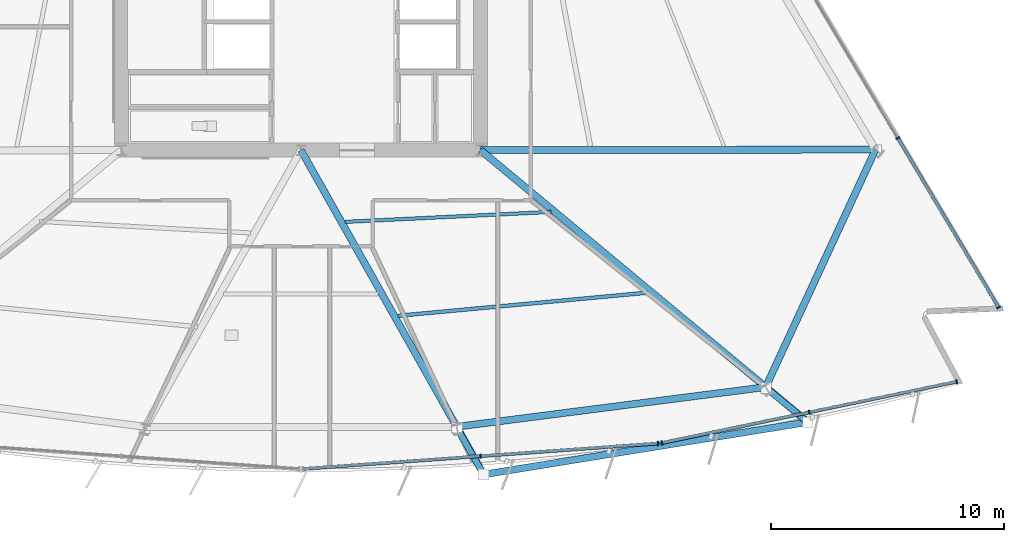
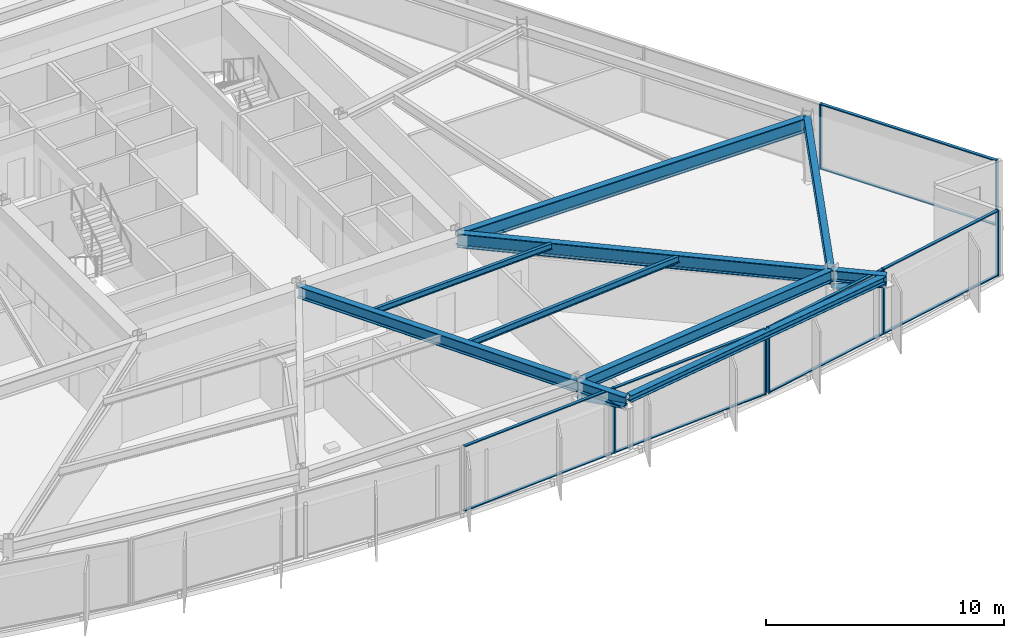
# One storey, part 5 of 18: 19 members, 10 beams, 3 elements without a shape of their own.
"""IFC4 building model written with IfcOpenShell, lengths in metres."""

import ifcopenshell
import ifcopenshell.guid

model = None  # the IFC model being written
_history = None  # IfcOwnerHistory: only IFC2X3 demands one
_inside = {}  # id of a spatial element -> (the spatial element, [elements in it])
_under = {}  # id of a project, library or spatial element -> (it, [spatial elements below it])
_declared = {}  # id of a project -> (the project, [libraries it declares])
_typed = {}  # id of a type object -> (the type object, [elements of that type])
_made_of = {}  # id of a material, layer set ... -> (it, [elements and type objects made of it])


def new_model(schema):
    """Start an empty IFC model of exactly this schema.

    Asked for "IFC4X3", IfcOpenShell would pick the latest addendum, in which some entities
    have other attributes; the version numbers below select the first issue.
    IFC2X3 requires an IfcOwnerHistory on every rooted entity: one is made here for all.
    """
    global model, _history
    if schema == "IFC4X3":
        model = ifcopenshell.file(schema_version=(4, 3, 0, 0))
    else:
        model = ifcopenshell.file(schema=schema)
    _inside.clear()
    _under.clear()
    _declared.clear()
    _typed.clear()
    _made_of.clear()
    _history = None
    if model.schema == "IFC2X3":
        org = make("IfcOrganization", Name="unknown")
        user = make(
            "IfcPersonAndOrganization",
            ThePerson=make("IfcPerson", FamilyName="unknown"),
            TheOrganization=org,
        )
        app = make(
            "IfcApplication",
            ApplicationDeveloper=org,
            Version="unknown",
            ApplicationFullName="unknown",
            ApplicationIdentifier="unknown",
        )
        _history = make(
            "IfcOwnerHistory",
            OwningUser=user,
            OwningApplication=app,
            ChangeAction="ADDED",
            CreationDate=0,
        )
    return model


def make(cls, **values):
    """One entity of the class cls with the attributes given. An attribute that is None is left unset."""
    return model.create_entity(
        cls, **{name: value for name, value in values.items() if value is not None}
    )


def rooted(cls, **values):
    """An entity with a GlobalId (a new one), such as an element, a storey or a relation."""
    return make(cls, GlobalId=ifcopenshell.guid.new(), OwnerHistory=_history, **values)


def si_unit(unit_type, name, prefix=None):
    """IfcSIUnit, for example si_unit("LENGTHUNIT", "METRE", prefix="MILLI")."""
    return make("IfcSIUnit", UnitType=unit_type, Prefix=prefix, Name=name)


def assignment(units):
    """IfcUnitAssignment: the units of a project."""
    return None if units is None else make("IfcUnitAssignment", Units=units)


def point(xyz):
    """IfcCartesianPoint."""
    return None if xyz is None else make("IfcCartesianPoint", Coordinates=xyz)


def direction(xyz):
    """IfcDirection."""
    return None if xyz is None else make("IfcDirection", DirectionRatios=xyz)


def frame(location, z_axis=None, x_axis=None):
    """IfcAxis2Placement3D, a coordinate frame: its origin and axes. An axis left out is left unset."""
    return make(
        "IfcAxis2Placement3D",
        Location=point(location),
        Axis=direction(z_axis),
        RefDirection=direction(x_axis),
    )


def frame_2d(location, x_axis=None):
    """IfcAxis2Placement2D, a coordinate frame in the plane: its origin and x axis."""
    return make(
        "IfcAxis2Placement2D", Location=point(location), RefDirection=direction(x_axis)
    )


def origin():
    """The frame at (0, 0, 0) with its axes left unset."""
    return frame((0.0, 0.0, 0.0))


def origin_2d():
    """The frame at (0, 0) in the plane with its x axis left unset."""
    return frame_2d((0.0, 0.0))


def place(relative_to, where):
    """IfcLocalPlacement: puts the frame where relative to a parent placement (None: the world)."""
    return make(
        "IfcLocalPlacement", PlacementRelTo=relative_to, RelativePlacement=where
    )


def context(
    kind, dimensions, precision=None, world=None, true_north=None, identifier=None
):
    """IfcGeometricRepresentationContext, for example the 3D "Model" context."""
    return make(
        "IfcGeometricRepresentationContext",
        ContextIdentifier=identifier,
        ContextType=kind,
        CoordinateSpaceDimension=dimensions,
        Precision=precision,
        WorldCoordinateSystem=world,
        TrueNorth=true_north,
    )


def subcontext(parent, identifier, kind, view, scale=None):
    """IfcGeometricRepresentationSubContext, for example "Body" below "Model"."""
    return make(
        "IfcGeometricRepresentationSubContext",
        ContextIdentifier=identifier,
        ContextType=kind,
        ParentContext=parent,
        TargetScale=scale,
        TargetView=view,
    )


def project(units=None, contexts=None):
    """IfcProject with its units and contexts."""
    return rooted(
        "IfcProject",
        Name="project",
        RepresentationContexts=contexts,
        UnitsInContext=assignment(units),
    )


def spatial(cls, under=None, at=None, **own):
    """A site, building, storey or space (cls), placed at a placement, below another one or the project."""
    s = rooted(cls, ObjectPlacement=at, **own)
    if under is not None:
        _under.setdefault(under.id(), (under, []))[1].append(s)
    return s


def profile(cls, at=None, kind="AREA", **sizes):
    """A parametric profile (cls). Its sizes go by their IFC names, for example OverallWidth=200.0."""
    return make(cls, ProfileType=kind, Position=at, **sizes)


def rectangle(**sizes):
    """IfcRectangleProfileDef."""
    return profile("IfcRectangleProfileDef", **sizes)


def hollow_circle(**sizes):
    """IfcCircleHollowProfileDef."""
    return profile("IfcCircleHollowProfileDef", **sizes)


def i_section(**sizes):
    """IfcIShapeProfileDef."""
    return profile("IfcIShapeProfileDef", **sizes)


def extrude(swept, where, along, depth):
    """IfcExtrudedAreaSolid: the profile swept, set in the frame where, extruded along a direction by depth."""
    return make(
        "IfcExtrudedAreaSolid",
        SweptArea=swept,
        Position=where,
        ExtrudedDirection=direction(along),
        Depth=depth,
    )


def shape(context_of_items, identifier, shape_type, items):
    """IfcShapeRepresentation: the items that make up one representation, for example the "Body"."""
    return make(
        "IfcShapeRepresentation",
        ContextOfItems=context_of_items,
        RepresentationIdentifier=identifier,
        RepresentationType=shape_type,
        Items=items,
    )


def material(Name=None, Category=None):
    """IfcMaterial."""
    return make("IfcMaterial", Name=Name, Category=Category)


def material_profile(
    of_material, cross_section, Name=None, Category=None, Priority=None
):
    """IfcMaterialProfile: a cross section and its material."""
    return make(
        "IfcMaterialProfile",
        Name=Name,
        Material=of_material,
        Profile=cross_section,
        Priority=Priority,
        Category=Category,
    )


def profile_set(profiles, Name=None, composite=None):
    """IfcMaterialProfileSet."""
    return make(
        "IfcMaterialProfileSet",
        Name=Name,
        MaterialProfiles=profiles,
        CompositeProfile=composite,
    )


def made_of(thing, what):
    """Note that an element or type object is made of a material, layer set ...; save() writes the relation."""
    if what is not None:
        _made_of.setdefault(what.id(), (what, []))[1].append(thing)
    return thing


def type_object(cls, material=None, **own):
    """A type object (cls), such as IfcWallType, which elements share."""
    return made_of(rooted(cls, **own), material)


def element(
    cls,
    number,
    at=None,
    inside=None,
    cuts=None,
    type_object=None,
    material=None,
    context=None,
    identifier="Body",
    shape_type=None,
    held_by="IfcProductDefinitionShape",
    body=None,
    shapes=None,
    **own,
):
    """One element of the class cls, such as IfcWall. Its Tag is "e" and its number.

    at: its placement. inside: the storey or other place that contains it. cuts: it is an
    opening in that element (IfcRelVoidsElement). A single representation is given by context,
    identifier, shape_type and body (its items); several are given by shapes. held_by: the class
    of the entity that holds the representations. save() writes the other relations.
    """
    e = rooted(cls, Tag="e%d" % number, ObjectPlacement=at, **own)
    if body is not None:
        shapes = [shape(context, identifier, shape_type, body)]
    if shapes is not None:
        e.Representation = make(held_by, Representations=shapes)
    if inside is not None:
        _inside.setdefault(inside.id(), (inside, []))[1].append(e)
    if cuts is not None:
        rooted(
            "IfcRelVoidsElement", RelatingBuildingElement=cuts, RelatedOpeningElement=e
        )
    if type_object is not None:
        _typed.setdefault(type_object.id(), (type_object, []))[1].append(e)
    return made_of(e, material)


def aggregate(whole, parts):
    """IfcRelAggregates: a whole, such as a stair, and the parts it consists of."""
    return rooted("IfcRelAggregates", RelatingObject=whole, RelatedObjects=parts)


def save(model, path):
    """Write the relations noted so far, then the file.

    IfcRelAggregates (storeys below a building ...), IfcRelContainedInSpatialStructure (elements
    in a storey), IfcRelDefinesByType, IfcRelAssociatesMaterial and IfcRelDeclares: one each for
    every whole, place, type object, material and project.
    """
    for whole, parts in _under.values():
        aggregate(whole, parts)
    for where, things in _inside.values():
        rooted(
            "IfcRelContainedInSpatialStructure",
            RelatedElements=things,
            RelatingStructure=where,
        )
    for kind, things in _typed.values():
        rooted("IfcRelDefinesByType", RelatedObjects=things, RelatingType=kind)
    for what, things in _made_of.values():
        rooted("IfcRelAssociatesMaterial", RelatedObjects=things, RelatingMaterial=what)
    for by, libraries in _declared.values():
        rooted("IfcRelDeclares", RelatingContext=by, RelatedDefinitions=libraries)
    model.write(path)


model = new_model("IFC4")

# Units and contexts
model_context = context("Model", 3, precision=1e-05, world=origin(), true_north=direction((0.0, 1.0)))
body_context = subcontext(model_context, "Body", "Model", "MODEL_VIEW")
ifc_project = project(units=[si_unit("LENGTHUNIT", "METRE"), si_unit("AREAUNIT", "SQUARE_METRE"), si_unit("VOLUMEUNIT", "CUBIC_METRE"), si_unit("PLANEANGLEUNIT", "RADIAN"), si_unit("MASSUNIT", "GRAM", prefix="KILO")], contexts=[model_context])

# Site, building, storey
site_placement = place(None, origin())
site = spatial("IfcSite", under=ifc_project, at=site_placement, CompositionType="ELEMENT")
building_placement = place(site_placement, origin())
building = spatial("IfcBuilding", under=site, at=building_placement, Name="Savorim Split Tower", CompositionType="ELEMENT")
storey_placement = place(building_placement, frame((0.0, 0.0, 44.39990234375)))
storey = spatial("IfcBuildingStorey", under=building, at=storey_placement, Name="L11", CompositionType="ELEMENT", Elevation=44.39990234375)

# Beams
ifc_material_1 = material(Name="Steel S355", Category="steel")
ifc_material_profile_1 = material_profile(ifc_material_1, i_section(OverallWidth=0.14990234375, OverallDepth=0.300048828125, WebThickness=0.007080078125, FlangeThickness=0.0107421875, FilletRadius=0.014892578125, at=origin_2d()), Name="IPE 300")
ifc_profile_set_1 = profile_set([ifc_material_profile_1], Name="Steel S355")
beam_type_1 = type_object("IfcBeamType", Name="BM-JST-IPE300", PredefinedType="JOIST", material=ifc_profile_set_1)
beam_1_placement = place(storey_placement, frame((1.897216796875, -12.47802734375, 3.2001953125), z_axis=(0.998831396082, 0.048330551423, 0.0), x_axis=(-0.048330551423, 0.998831396082, 0.0)))
element("IfcBeam", 1, at=beam_1_placement, inside=storey, type_object=beam_type_1, Name="L11 Secondary Floor Joist JS-05", PredefinedType="JOIST", context=body_context, shape_type="SweptSolid", body=[
    extrude(i_section(OverallWidth=0.14990234375, OverallDepth=0.300048828125, WebThickness=0.007080078125, FlangeThickness=0.0107421875, FilletRadius=0.014892578125, at=origin_2d()), origin(), (0.0, 0.0, 1.0), 8.8349609375),
])
ifc_material_profile_2 = material_profile(ifc_material_1, i_section(OverallWidth=0.159912109375, OverallDepth=0.330078125, WebThickness=0.007568359375, FlangeThickness=0.011474609375, FilletRadius=0.01806640625, at=origin_2d()), Name="IPE 330")
ifc_profile_set_2 = profile_set([ifc_material_profile_2], Name="Steel S355")
beam_type_2 = type_object("IfcBeamType", Name="BM-JST-IPE330", PredefinedType="JOIST", material=ifc_profile_set_2)
beam_2_placement = place(storey_placement, frame((4.168701171875, -16.50634765625, 3.18505859375), z_axis=(0.995744029273, 0.092161967027, 0.0), x_axis=(-0.092161967027, 0.995744029273, 0.0)))
element("IfcBeam", 2, at=beam_2_placement, inside=storey, type_object=beam_type_2, Name="L11 Secondary Floor Joist JS-04", PredefinedType="JOIST", context=body_context, shape_type="SweptSolid", body=[
    extrude(i_section(OverallWidth=0.159912109375, OverallDepth=0.330078125, WebThickness=0.007568359375, FlangeThickness=0.011474609375, FilletRadius=0.01806640625, at=origin_2d()), origin(), (0.0, 0.0, 1.0), 10.760498046875),
])
ifc_material_profile_3 = material_profile(ifc_material_1, i_section(OverallWidth=0.300048828125, OverallDepth=0.550048828125, WebThickness=0.014892578125, FlangeThickness=0.029052734375, FilletRadius=0.027099609375, at=origin_2d()), Name="HEB 550")
ifc_profile_set_3 = profile_set([ifc_material_profile_3], Name="Steel S355")
beam_type_3 = type_object("IfcBeamType", Name="BM-PRI-HEB550", PredefinedType="BEAM", material=ifc_profile_set_3)
for number, where, z_axis, x_axis, name in (
    (3, (6.68212890625, -21.268310546875, 3.0751953125), (0.490636033637, -0.87136460939, 0.0), (0.87136460939, 0.490636033637, 0.0), "L11 Cantilevered Lounge Rib 1"),
    (4, (19.937744140625, -19.56640625, 3.0751953125), (0.769191158653, -0.639018748903, 0.0), (0.639018748903, 0.769191158653, 0.0), "L11 Cantilevered Lounge Rib 2"),
):
    element("IfcBeam", number, at=place(storey_placement, frame(where, z_axis=z_axis, x_axis=x_axis)), inside=storey, type_object=beam_type_3, Name=name, PredefinedType="BEAM", context=body_context, shape_type="SweptSolid", body=[
        extrude(i_section(OverallWidth=0.300048828125, OverallDepth=0.550048828125, WebThickness=0.014892578125, FlangeThickness=0.029052734375, FilletRadius=0.027099609375, at=origin_2d()), origin(), (0.0, 0.0, 1.0), 2.35009765625),
    ])
ifc_material_profile_4 = material_profile(ifc_material_1, i_section(OverallWidth=0.300048828125, OverallDepth=0.60009765625, WebThickness=0.015380859375, FlangeThickness=0.030029296875, FilletRadius=0.027099609375, at=origin_2d()), Name="HEB 600")
ifc_profile_set_4 = profile_set([ifc_material_profile_4], Name="Steel S355")
beam_type_4 = type_object("IfcBeamType", Name="BM-PRI-HEB600", PredefinedType="BEAM", material=ifc_profile_set_4)
beam_3_placement = place(storey_placement, frame((6.68212890625, -21.268310546875, 3.050048828125), z_axis=(-0.490604168067, 0.87138255105, 0.0), x_axis=(-0.87138255105, -0.490604168067, 0.0)))
element("IfcBeam", 5, at=beam_3_placement, inside=storey, type_object=beam_type_4, Name="L11 Primary Floor Girder RG-03", PredefinedType="BEAM", context=body_context, shape_type="SweptSolid", body=[
    extrude(i_section(OverallWidth=0.300048828125, OverallDepth=0.60009765625, WebThickness=0.015380859375, FlangeThickness=0.030029296875, FilletRadius=0.027099609375, at=origin_2d()), origin(), (0.0, 0.0, 1.0), 13.6201171875),
])
ifc_material_2 = material(Name="Steel S460", Category="steel")
ifc_material_profile_5 = material_profile(ifc_material_2, i_section(OverallWidth=0.303955078125, OverallDepth=0.716064453125, WebThickness=0.02099609375, FlangeThickness=0.0400390625, FilletRadius=0.027099609375, at=origin_2d()), Name="HE 700 M")
ifc_profile_set_5 = profile_set([ifc_material_profile_5], Name="Steel S460")
beam_type_5 = type_object("IfcBeamType", Name="BM-PRI-HEM700", PredefinedType="BEAM", material=ifc_profile_set_5)
beam_4_placement = place(storey_placement, frame((19.937744140625, -19.56640625, 2.9921875), z_axis=(-0.769198959995, 0.639009358259, 0.0), x_axis=(-0.639009358259, -0.769198959995, 0.0)))
element("IfcBeam", 6, at=beam_4_placement, inside=storey, type_object=beam_type_5, Name="L11 Primary Floor Girder RG-04", PredefinedType="BEAM", context=body_context, shape_type="SweptSolid", body=[
    extrude(i_section(OverallWidth=0.303955078125, OverallDepth=0.716064453125, WebThickness=0.02099609375, FlangeThickness=0.0400390625, FilletRadius=0.027099609375, at=origin_2d()), origin(), (0.0, 0.0, 1.0), 15.90966796875),
])
beam_5_placement = place(storey_placement, frame((24.648681640625, -9.377685546875, 2.9921875), z_axis=(-0.999999140872, -0.001310822532, 0.0), x_axis=(0.001310822532, -0.999999140872, 0.0)))
element("IfcBeam", 7, at=beam_5_placement, inside=storey, type_object=beam_type_5, Name="L11 Primary Floor Girder RG-05", PredefinedType="BEAM", context=body_context, shape_type="SweptSolid", body=[
    extrude(i_section(OverallWidth=0.303955078125, OverallDepth=0.716064453125, WebThickness=0.02099609375, FlangeThickness=0.0400390625, FilletRadius=0.027099609375, at=origin_2d()), origin(), (0.0, 0.0, 1.0), 16.94873046875),
])
ifc_material_profile_6 = material_profile(ifc_material_1, i_section(OverallWidth=0.300048828125, OverallDepth=0.35009765625, WebThickness=0.010009765625, FlangeThickness=0.017578125, FilletRadius=0.027099609375, at=origin_2d()), Name="HEA 360")
ifc_profile_set_6 = profile_set([ifc_material_profile_6], Name="Steel S355")
beam_type_6 = type_object("IfcBeamType", Name="BM-SPN-HEA360", PredefinedType="SPANDREL", material=ifc_profile_set_6)
beam_6_placement = place(storey_placement, frame((7.9931640625, -23.29052734375, 3.175048828125), z_axis=(0.987193607358, 0.159526742556, 0.0), x_axis=(-0.159526742556, 0.987193607358, 0.0)))
element("IfcBeam", 8, at=beam_6_placement, inside=storey, type_object=beam_type_6, Name="L11 Cantilevered Lounge Front Edge Beam", PredefinedType="SPANDREL", context=body_context, shape_type="SweptSolid", body=[
    extrude(i_section(OverallWidth=0.300048828125, OverallDepth=0.35009765625, WebThickness=0.010009765625, FlangeThickness=0.017578125, FilletRadius=0.027099609375, at=origin_2d()), origin(), (0.0, 0.0, 1.0), 13.7705078125),
])
ifc_material_profile_7 = material_profile(ifc_material_1, i_section(OverallWidth=0.300048828125, OverallDepth=0.590087890625, WebThickness=0.012939453125, FlangeThickness=0.02490234375, FilletRadius=0.027099609375, at=origin_2d()), Name="HEA 600")
ifc_profile_set_7 = profile_set([ifc_material_profile_7], Name="Steel S355")
beam_type_7 = type_object("IfcBeamType", Name="BM-SPN-HEA600", PredefinedType="SPANDREL", material=ifc_profile_set_7)
beam_7_placement = place(storey_placement, frame((6.68212890625, -21.268310546875, 3.05517578125), z_axis=(0.991858370019, 0.12734588263, 0.0), x_axis=(-0.12734588263, 0.991858370019, 0.0)))
element("IfcBeam", 9, at=beam_7_placement, inside=storey, type_object=beam_type_7, Name="L11 Perimeter Spandrel Beam 3", PredefinedType="SPANDREL", context=body_context, shape_type="SweptSolid", body=[
    extrude(i_section(OverallWidth=0.300048828125, OverallDepth=0.590087890625, WebThickness=0.012939453125, FlangeThickness=0.02490234375, FilletRadius=0.027099609375, at=origin_2d()), origin(), (0.0, 0.0, 1.0), 13.364501953125),
])
beam_8_placement = place(storey_placement, frame((19.937744140625, -19.56640625, 3.05517578125), z_axis=(0.419678736587, 0.907672715276, 0.0), x_axis=(-0.907672715276, 0.419678736587, 0.0)))
element("IfcBeam", 10, at=beam_8_placement, inside=storey, type_object=beam_type_7, Name="L11 Perimeter Spandrel Beam 4", PredefinedType="SPANDREL", context=body_context, shape_type="SweptSolid", body=[
    extrude(i_section(OverallWidth=0.300048828125, OverallDepth=0.590087890625, WebThickness=0.012939453125, FlangeThickness=0.02490234375, FilletRadius=0.027099609375, at=origin_2d()), origin(), (0.0, 0.0, 1.0), 11.22509765625),
])

# Curtain wall, members
ifc_material_3 = material(Name="Dark Ceramic-Fritted Insulated Glass", Category="glass")
curtain_wall_type = type_object("IfcCurtainWallType", Name="CW-TWR-FRIT-A", PredefinedType="NOTDEFINED", material=ifc_material_3)
curtain_wall_1_placement = place(storey_placement, origin())
curtain_wall_1 = element("IfcCurtainWall", 11, at=curtain_wall_1_placement, inside=storey, type_object=curtain_wall_type, Name="L11 Curtain Wall CW-L11-SF3", PredefinedType="NOTDEFINED")
ifc_material_4 = material(Name="Charcoal Anodised Aluminium", Category="aluminium")
ifc_material_profile_8 = material_profile(ifc_material_4, rectangle(XDim=0.179931640625, YDim=0.06494140625, at=origin_2d()), Name="ALU-M 180x65")
ifc_profile_set_8 = profile_set([ifc_material_profile_8], Name="Charcoal Anodised Aluminium")
member_type_1 = type_object("IfcMemberType", Name="CWM-180x65", PredefinedType="MULLION", material=ifc_profile_set_8)
member_1_placement = place(storey_placement, frame((7.7021484375, -22.527099609375, 0.0), z_axis=(0.0, 0.0, 1.0), x_axis=(-0.071560199658, 0.997436282589, 0.0)))
member_1 = element("IfcMember", 12, at=member_1_placement, type_object=member_type_1, Name="CW-02 mullion 2", PredefinedType="MULLION", context=body_context, shape_type="SweptSolid", body=[
    extrude(rectangle(XDim=0.179931640625, YDim=0.06494140625, at=origin_2d()), origin(), (0.0, 0.0, 1.0), 3.35009765625),
])
member_2_placement = place(storey_placement, frame((15.320556640625, -21.98046875, 0.0), z_axis=(0.0, 0.0, 1.0), x_axis=(-0.071560199658, 0.997436282589, 0.0)))
member_2 = element("IfcMember", 13, at=member_2_placement, type_object=member_type_1, Name="CW-02 mullion 3", PredefinedType="MULLION", context=body_context, shape_type="SweptSolid", body=[
    extrude(rectangle(XDim=0.179931640625, YDim=0.06494140625, at=origin_2d()), origin(), (0.0, 0.0, 1.0), 3.35009765625),
])

curtain_wall_2_placement = place(storey_placement, origin())
curtain_wall_2 = element("IfcCurtainWall", 14, at=curtain_wall_2_placement, inside=storey, type_object=curtain_wall_type, Name="L11 Curtain Wall CW-L11-SF4", PredefinedType="NOTDEFINED")
member_3_placement = place(storey_placement, frame((15.487548828125, -21.957275390625, 0.0), z_axis=(0.0, 0.0, 1.0), x_axis=(-0.203210322793, 0.979135110549, 0.0)))
member_3 = element("IfcMember", 15, at=member_3_placement, type_object=member_type_1, Name="CW-02 mullion 1", PredefinedType="MULLION", context=body_context, shape_type="SweptSolid", body=[
    extrude(rectangle(XDim=0.179931640625, YDim=0.06494140625, at=origin_2d()), origin(), (0.0, 0.0, 1.0), 3.35009765625),
])
member_4_placement = place(storey_placement, frame((21.807861328125, -20.6455078125, 0.0), z_axis=(0.0, 0.0, 1.0), x_axis=(-0.203210322793, 0.979135110549, 0.0)))
member_4 = element("IfcMember", 16, at=member_4_placement, type_object=member_type_1, Name="CW-02 mullion 2", PredefinedType="MULLION", context=body_context, shape_type="SweptSolid", body=[
    extrude(rectangle(XDim=0.179931640625, YDim=0.06494140625, at=origin_2d()), origin(), (0.0, 0.0, 1.0), 3.35009765625),
])
member_5_placement = place(storey_placement, frame((28.12841796875, -19.333740234375, 0.0), z_axis=(0.0, 0.0, 1.0), x_axis=(-0.203210322793, 0.979135110549, 0.0)))
member_5 = element("IfcMember", 17, at=member_5_placement, type_object=member_type_1, Name="CW-02 mullion 3", PredefinedType="MULLION", context=body_context, shape_type="SweptSolid", body=[
    extrude(rectangle(XDim=0.179931640625, YDim=0.06494140625, at=origin_2d()), origin(), (0.0, 0.0, 1.0), 3.35009765625),
])

curtain_wall_3_placement = place(storey_placement, origin())
curtain_wall_3 = element("IfcCurtainWall", 18, at=curtain_wall_3_placement, inside=storey, type_object=curtain_wall_type, Name="L11 Curtain Wall CW-L11-EAST", PredefinedType="NOTDEFINED")
member_6_placement = place(storey_placement, frame((29.927978515625, -16.14990234375, 0.0), z_axis=(0.0, 0.0, 1.0), x_axis=(-0.859525752007, -0.511092439425, 0.0)))
member_6 = element("IfcMember", 19, at=member_6_placement, type_object=member_type_1, Name="CW-02 mullion 1", PredefinedType="MULLION", context=body_context, shape_type="SweptSolid", body=[
    extrude(rectangle(XDim=0.179931640625, YDim=0.06494140625, at=origin_2d()), origin(), (0.0, 0.0, 1.0), 3.35009765625),
])
member_7_placement = place(storey_placement, frame((25.604248046875, -8.878662109375, 0.0), z_axis=(0.0, 0.0, 1.0), x_axis=(-0.859525752007, -0.511092439425, 0.0)))
member_7 = element("IfcMember", 20, at=member_7_placement, type_object=member_type_1, Name="CW-02 mullion 2", PredefinedType="MULLION", context=body_context, shape_type="SweptSolid", body=[
    extrude(rectangle(XDim=0.179931640625, YDim=0.06494140625, at=origin_2d()), origin(), (0.0, 0.0, 1.0), 3.35009765625),
])

# Member
ifc_material_profile_9 = material_profile(ifc_material_4, rectangle(XDim=0.139892578125, YDim=0.054931640625, at=origin_2d()), Name="ALU-T 140x55")
ifc_profile_set_9 = profile_set([ifc_material_profile_9], Name="Charcoal Anodised Aluminium")
member_type_2 = type_object("IfcMemberType", Name="CWT-140x55", PredefinedType="USERDEFINED", material=ifc_profile_set_9)
member_8_placement = place(storey_placement, frame((0.1162109375, -23.0712890625, 0.027587890625), z_axis=(0.997437873969, 0.071538014879, 0.0), x_axis=(-0.071538014879, 0.997437873969, 0.0)))
member_8 = element("IfcMember", 21, at=member_8_placement, type_object=member_type_2, Name="CW-02 transom 1.1", ObjectType="TRANSOM", PredefinedType="USERDEFINED", context=body_context, shape_type="SweptSolid", body=[
    extrude(rectangle(XDim=0.139892578125, YDim=0.054931640625, at=origin_2d()), origin(), (0.0, 0.0, 1.0), 7.57275390625),
])

member_9_placement = place(storey_placement, frame((0.1162109375, -23.0712890625, 3.322509765625), z_axis=(0.997437873969, 0.071538014879, 0.0), x_axis=(-0.071538014879, 0.997437873969, 0.0)))
member_9 = element("IfcMember", 22, at=member_9_placement, type_object=member_type_2, Name="CW-02 transom 1.2", ObjectType="TRANSOM", PredefinedType="USERDEFINED", context=body_context, shape_type="SweptSolid", body=[
    extrude(rectangle(XDim=0.139892578125, YDim=0.054931640625, at=origin_2d()), origin(), (0.0, 0.0, 1.0), 7.57275390625),
])

member_10_placement = place(storey_placement, frame((7.734619140625, -22.524658203125, 0.027587890625), z_axis=(0.997437873969, 0.071538014879, 0.0), x_axis=(-0.071538014879, 0.997437873969, 0.0)))
member_10 = element("IfcMember", 23, at=member_10_placement, type_object=member_type_2, Name="CW-02 transom 2.1", ObjectType="TRANSOM", PredefinedType="USERDEFINED", context=body_context, shape_type="SweptSolid", body=[
    extrude(rectangle(XDim=0.139892578125, YDim=0.054931640625, at=origin_2d()), origin(), (0.0, 0.0, 1.0), 7.57275390625),
])

member_11_placement = place(storey_placement, frame((7.734619140625, -22.524658203125, 3.322509765625), z_axis=(0.997437873969, 0.071538014879, 0.0), x_axis=(-0.071538014879, 0.997437873969, 0.0)))
member_11 = element("IfcMember", 24, at=member_11_placement, type_object=member_type_2, Name="CW-02 transom 2.2", ObjectType="TRANSOM", PredefinedType="USERDEFINED", context=body_context, shape_type="SweptSolid", body=[
    extrude(rectangle(XDim=0.139892578125, YDim=0.054931640625, at=origin_2d()), origin(), (0.0, 0.0, 1.0), 7.57275390625),
])

aggregate(curtain_wall_1, [member_1, member_2, member_8, member_9, member_10, member_11])

member_12_placement = place(storey_placement, frame((15.519287109375, -21.95068359375, 0.027587890625), z_axis=(0.979133980901, 0.203215765741, 0.0), x_axis=(-0.203215765741, 0.979133980901, 0.0)))
member_12 = element("IfcMember", 25, at=member_12_placement, type_object=member_type_2, Name="CW-02 transom 1.1", ObjectType="TRANSOM", PredefinedType="USERDEFINED", context=body_context, shape_type="SweptSolid", body=[
    extrude(rectangle(XDim=0.139892578125, YDim=0.054931640625, at=origin_2d()), origin(), (0.0, 0.0, 1.0), 6.39013671875),
])

member_13_placement = place(storey_placement, frame((15.519287109375, -21.95068359375, 3.322509765625), z_axis=(0.979133980901, 0.203215765741, 0.0), x_axis=(-0.203215765741, 0.979133980901, 0.0)))
member_13 = element("IfcMember", 26, at=member_13_placement, type_object=member_type_2, Name="CW-02 transom 1.2", ObjectType="TRANSOM", PredefinedType="USERDEFINED", context=body_context, shape_type="SweptSolid", body=[
    extrude(rectangle(XDim=0.139892578125, YDim=0.054931640625, at=origin_2d()), origin(), (0.0, 0.0, 1.0), 6.39013671875),
])

member_14_placement = place(storey_placement, frame((21.83984375, -20.638916015625, 0.027587890625), z_axis=(0.979132403047, 0.203223368003, 0.0), x_axis=(-0.203223368003, 0.979132403047, 0.0)))
member_14 = element("IfcMember", 27, at=member_14_placement, type_object=member_type_2, Name="CW-02 transom 2.1", ObjectType="TRANSOM", PredefinedType="USERDEFINED", context=body_context, shape_type="SweptSolid", body=[
    extrude(rectangle(XDim=0.139892578125, YDim=0.054931640625, at=origin_2d()), origin(), (0.0, 0.0, 1.0), 6.389892578125),
])

member_15_placement = place(storey_placement, frame((21.83984375, -20.638916015625, 3.322509765625), z_axis=(0.979132403047, 0.203223368003, 0.0), x_axis=(-0.203223368003, 0.979132403047, 0.0)))
member_15 = element("IfcMember", 28, at=member_15_placement, type_object=member_type_2, Name="CW-02 transom 2.2", ObjectType="TRANSOM", PredefinedType="USERDEFINED", context=body_context, shape_type="SweptSolid", body=[
    extrude(rectangle(XDim=0.139892578125, YDim=0.054931640625, at=origin_2d()), origin(), (0.0, 0.0, 1.0), 6.389892578125),
])

aggregate(curtain_wall_2, [member_3, member_4, member_5, member_12, member_13, member_14, member_15])

member_16_placement = place(storey_placement, frame((29.911376953125, -16.1220703125, 0.027587890625), z_axis=(-0.511091652485, 0.859526219938, 0.0), x_axis=(-0.859526219938, -0.511091652485, 0.0)))
member_16 = element("IfcMember", 29, at=member_16_placement, type_object=member_type_2, Name="CW-02 transom 1.1", ObjectType="TRANSOM", PredefinedType="USERDEFINED", context=body_context, shape_type="SweptSolid", body=[
    extrude(rectangle(XDim=0.139892578125, YDim=0.054931640625, at=origin_2d()), origin(), (0.0, 0.0, 1.0), 8.394775390625),
])

member_17_placement = place(storey_placement, frame((29.911376953125, -16.1220703125, 3.322509765625), z_axis=(-0.511091652485, 0.859526219938, 0.0), x_axis=(-0.859526219938, -0.511091652485, 0.0)))
member_17 = element("IfcMember", 30, at=member_17_placement, type_object=member_type_2, Name="CW-02 transom 1.2", ObjectType="TRANSOM", PredefinedType="USERDEFINED", context=body_context, shape_type="SweptSolid", body=[
    extrude(rectangle(XDim=0.139892578125, YDim=0.054931640625, at=origin_2d()), origin(), (0.0, 0.0, 1.0), 8.394775390625),
])

aggregate(curtain_wall_3, [member_6, member_7, member_16, member_17])

# Members
ifc_material_profile_10 = material_profile(ifc_material_1, hollow_circle(Radius=0.136474609375, WallThickness=0.01611328125, at=origin_2d()), Name="CHS 273x16")
ifc_profile_set_10 = profile_set([ifc_material_profile_10], Name="Steel S355")
member_type_3 = type_object("IfcMemberType", Name="MBR-CRN-CHS273", PredefinedType="BRACE", material=ifc_profile_set_10)
member_18_placement = place(storey_placement, frame((6.690185546875, -21.308837890625, 2.4501953125), z_axis=(0.489251934639, -0.857703498209, 0.158041936243), x_axis=(0.86861996569, 0.495478914995, 0.0)))
element("IfcMember", 31, at=member_18_placement, inside=storey, type_object=member_type_3, Name="L11 Cantilevered Bay Support Strut 1", PredefinedType="BRACE", context=body_context, shape_type="SweptSolid", body=[
    extrude(hollow_circle(Radius=0.136474609375, WallThickness=0.01611328125, at=origin_2d()), origin(), (0.0, 0.0, 1.0), 2.34033203125),
])
member_19_placement = place(storey_placement, frame((19.96142578125, -19.60498046875, 2.4501953125), z_axis=(0.763454253453, -0.626164135889, 0.158291117282), x_axis=(0.634159307993, 0.773202413399, 0.0)))
element("IfcMember", 32, at=member_19_placement, inside=storey, type_object=member_type_3, Name="L11 Cantilevered Bay Support Strut 2", PredefinedType="BRACE", context=body_context, shape_type="SweptSolid", body=[
    extrude(hollow_circle(Radius=0.136474609375, WallThickness=0.01611328125, at=origin_2d()), origin(), (0.0, 0.0, 1.0), 2.336669921875),
])

save(model, "model.ifc")
